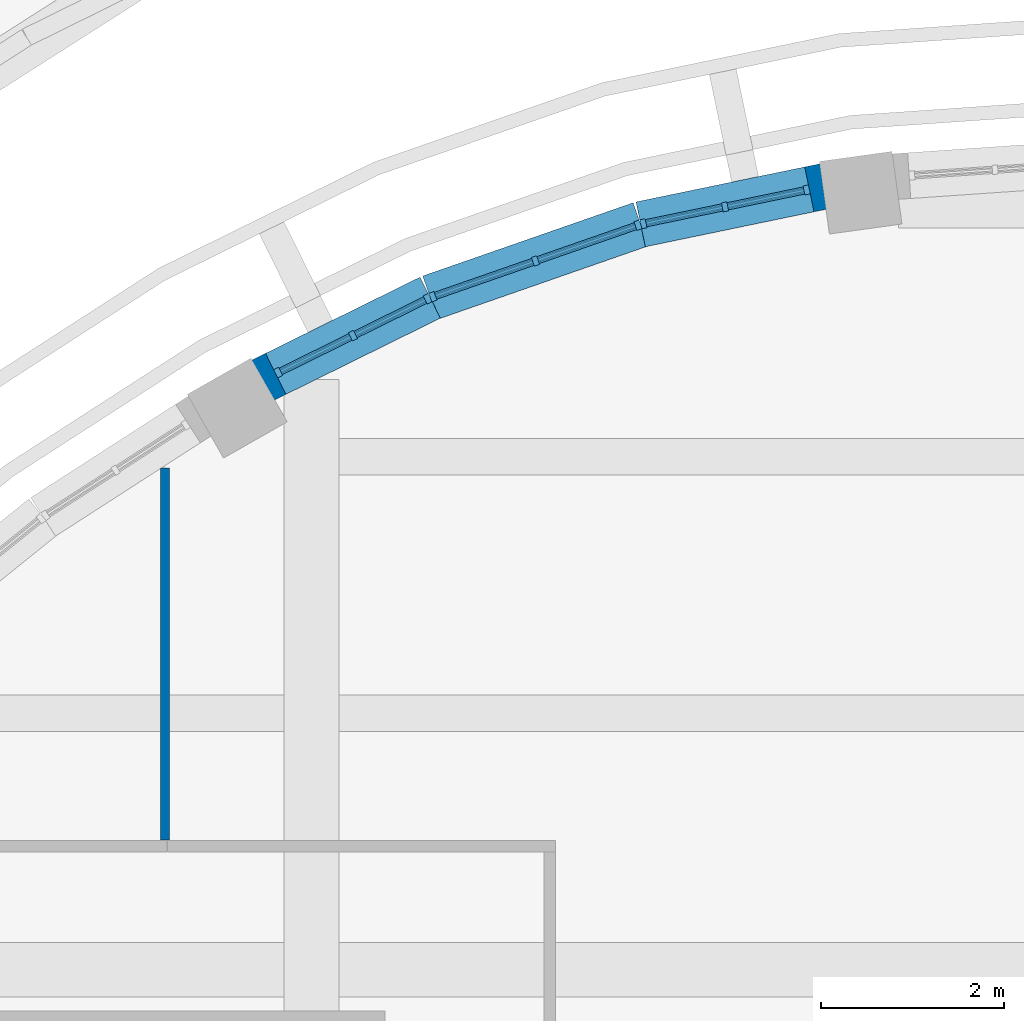
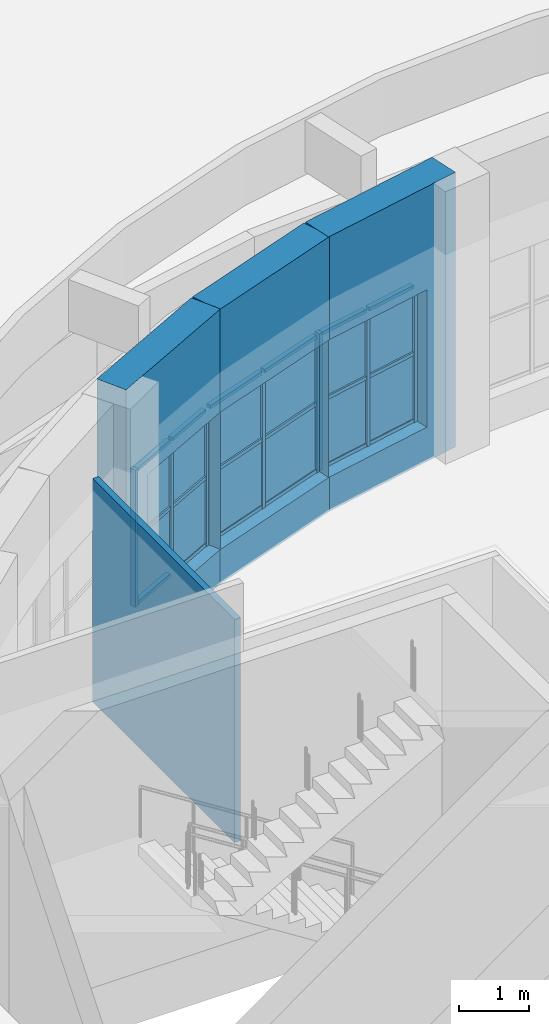
# One storey, part 35 of 79: 27 members, 12 plates, 4 walls, 3 openings, 3 elements without a shape of their own.
"""IFC4 building model written with IfcOpenShell, lengths in metres."""

from ifc_helpers import new_model, si_unit, direction, frame, frame_2d, origin, origin_2d, place, context, subcontext, project, spatial, rectangle, extrude, material, layer, layer_set, material_profile, profile_set, type_object, element, fill, aggregate, save


model = new_model("IFC4")

# Units and contexts
model_context = context("Model", 3, precision=1e-05, world=origin(), true_north=direction((0.0, 1.0)))
body_context = subcontext(model_context, "Body", "Model", "MODEL_VIEW")
ifc_project = project(units=[si_unit("LENGTHUNIT", "METRE"), si_unit("AREAUNIT", "SQUARE_METRE"), si_unit("VOLUMEUNIT", "CUBIC_METRE"), si_unit("PLANEANGLEUNIT", "RADIAN"), si_unit("MASSUNIT", "GRAM", prefix="KILO")], contexts=[model_context])

# Site, building, storey
site_placement = place(None, origin())
site = spatial("IfcSite", under=ifc_project, at=site_placement, CompositionType="ELEMENT")
building_placement = place(site_placement, origin())
building = spatial("IfcBuilding", under=site, at=building_placement, Name="Larchfold Concert Hall", CompositionType="ELEMENT")
storey_placement = place(building_placement, frame((0.0, 0.0, 14.39990234375)))
storey = spatial("IfcBuildingStorey", under=building, at=storey_placement, Name="L03", CompositionType="ELEMENT", Elevation=14.39990234375)

# Curtain wall, members
ifc_material_1 = material(Name="Anodised graphite aluminium curtain wall", Category="aluminium")
ifc_layer_1 = layer(ifc_material_1, 0.10009765625)
ifc_layer_set_1 = layer_set([ifc_layer_1], Name="Anodised graphite aluminium curtain wall")
curtain_wall_type = type_object("IfcCurtainWallType", Name="Curtain wall GB", PredefinedType="NOTDEFINED", material=ifc_layer_set_1)
curtain_wall_1_placement = place(storey_placement, origin())
curtain_wall_1 = element("IfcCurtainWall", 1, at=curtain_wall_1_placement, inside=storey, type_object=curtain_wall_type, Name="Curtain wall CW0021", PredefinedType="NOTDEFINED")
ifc_material_2 = material(Name="Anodised graphite aluminium mullion", Category="aluminium")
ifc_material_profile_1 = material_profile(ifc_material_2, rectangle(XDim=0.10009765625, YDim=0.06005859375, at=origin_2d()))
ifc_profile_set_1 = profile_set([ifc_material_profile_1], Name="Anodised graphite aluminium mullion")
member_type_1 = type_object("IfcMemberType", Name="Aluminium mullion 60x100", PredefinedType="MULLION", material=ifc_profile_set_1)
member_1_placement = place(storey_placement, frame((39.6044921875, 118.314697265625, 0.60009765625), z_axis=(0.0, 0.0, 1.0), x_axis=(0.20300045045, -0.979178644128, 0.0)))
member_1 = element("IfcMember", 2, at=member_1_placement, type_object=member_type_1, Name="CW0021 mullion 1", PredefinedType="MULLION", context=body_context, shape_type="SweptSolid", body=[
    extrude(rectangle(XDim=0.10009765625, YDim=0.06005859375, at=origin_2d()), origin(), (0.0, 0.0, 1.0), 2.39990234375),
])
member_2_placement = place(storey_placement, frame((38.712890625, 118.1298828125, 0.60009765625), z_axis=(0.0, 0.0, 1.0), x_axis=(0.20300045045, -0.979178644128, 0.0)))
member_2 = element("IfcMember", 3, at=member_2_placement, type_object=member_type_1, Name="CW0021 mullion 2", PredefinedType="MULLION", context=body_context, shape_type="SweptSolid", body=[
    extrude(rectangle(XDim=0.10009765625, YDim=0.06005859375, at=origin_2d()), origin(), (0.0, 0.0, 1.0), 2.39990234375),
])
member_3_placement = place(storey_placement, frame((37.8212890625, 117.945068359375, 0.60009765625), z_axis=(0.0, 0.0, 1.0), x_axis=(0.20300045045, -0.979178644128, 0.0)))
member_3 = element("IfcMember", 4, at=member_3_placement, type_object=member_type_1, Name="CW0021 mullion 3", PredefinedType="MULLION", context=body_context, shape_type="SweptSolid", body=[
    extrude(rectangle(XDim=0.10009765625, YDim=0.06005859375, at=origin_2d()), origin(), (0.0, 0.0, 1.0), 2.39990234375),
])

curtain_wall_2_placement = place(storey_placement, origin())
curtain_wall_2 = element("IfcCurtainWall", 5, at=curtain_wall_2_placement, inside=storey, type_object=curtain_wall_type, Name="Curtain wall CW0022", PredefinedType="NOTDEFINED")
member_4_placement = place(storey_placement, frame((37.763671875, 117.92919921875, 0.60009765625), z_axis=(0.0, 0.0, 1.0), x_axis=(0.328874818145, -0.944373524613, 0.0)))
member_4 = element("IfcMember", 6, at=member_4_placement, type_object=member_type_1, Name="CW0022 mullion 1", PredefinedType="MULLION", context=body_context, shape_type="SweptSolid", body=[
    extrude(rectangle(XDim=0.10009765625, YDim=0.06005859375, at=origin_2d()), origin(), (0.0, 0.0, 1.0), 2.39990234375),
])
member_5_placement = place(storey_placement, frame((36.643310546875, 117.5390625, 0.60009765625), z_axis=(0.0, 0.0, 1.0), x_axis=(0.328874818145, -0.944373524613, 0.0)))
member_5 = element("IfcMember", 7, at=member_5_placement, type_object=member_type_1, Name="CW0022 mullion 2", PredefinedType="MULLION", context=body_context, shape_type="SweptSolid", body=[
    extrude(rectangle(XDim=0.10009765625, YDim=0.06005859375, at=origin_2d()), origin(), (0.0, 0.0, 1.0), 2.39990234375),
])
member_6_placement = place(storey_placement, frame((35.52294921875, 117.148681640625, 0.60009765625), z_axis=(0.0, 0.0, 1.0), x_axis=(0.328874818145, -0.944373524613, 0.0)))
member_6 = element("IfcMember", 8, at=member_6_placement, type_object=member_type_1, Name="CW0022 mullion 3", PredefinedType="MULLION", context=body_context, shape_type="SweptSolid", body=[
    extrude(rectangle(XDim=0.10009765625, YDim=0.06005859375, at=origin_2d()), origin(), (0.0, 0.0, 1.0), 2.39990234375),
])

curtain_wall_3_placement = place(storey_placement, origin())
curtain_wall_3 = element("IfcCurtainWall", 9, at=curtain_wall_3_placement, inside=storey, type_object=curtain_wall_type, Name="Curtain wall CW0023", PredefinedType="NOTDEFINED")
member_7_placement = place(storey_placement, frame((35.4677734375, 117.125732421875, 0.60009765625), z_axis=(0.0, 0.0, 1.0), x_axis=(0.442328227227, -0.896853242954, 0.0)))
member_7 = element("IfcMember", 10, at=member_7_placement, type_object=member_type_1, Name="CW0023 mullion 1", PredefinedType="MULLION", context=body_context, shape_type="SweptSolid", body=[
    extrude(rectangle(XDim=0.10009765625, YDim=0.06005859375, at=origin_2d()), origin(), (0.0, 0.0, 1.0), 2.39990234375),
])
member_8_placement = place(storey_placement, frame((34.65087890625, 116.72265625, 0.60009765625), z_axis=(0.0, 0.0, 1.0), x_axis=(0.442328227227, -0.896853242954, 0.0)))
member_8 = element("IfcMember", 11, at=member_8_placement, type_object=member_type_1, Name="CW0023 mullion 2", PredefinedType="MULLION", context=body_context, shape_type="SweptSolid", body=[
    extrude(rectangle(XDim=0.10009765625, YDim=0.06005859375, at=origin_2d()), origin(), (0.0, 0.0, 1.0), 2.39990234375),
])
member_9_placement = place(storey_placement, frame((33.833984375, 116.31982421875, 0.60009765625), z_axis=(0.0, 0.0, 1.0), x_axis=(0.442328227227, -0.896853242954, 0.0)))
member_9 = element("IfcMember", 12, at=member_9_placement, type_object=member_type_1, Name="CW0023 mullion 3", PredefinedType="MULLION", context=body_context, shape_type="SweptSolid", body=[
    extrude(rectangle(XDim=0.10009765625, YDim=0.06005859375, at=origin_2d()), origin(), (0.0, 0.0, 1.0), 2.39990234375),
])

# Member
ifc_material_3 = material(Name="Anodised graphite aluminium transom", Category="aluminium")
ifc_material_profile_2 = material_profile(ifc_material_3, rectangle(XDim=0.080078125, YDim=0.06005859375, at=origin_2d()))
ifc_profile_set_2 = profile_set([ifc_material_profile_2], Name="Anodised graphite aluminium transom")
member_type_2 = type_object("IfcMemberType", Name="Aluminium transom 60x80", PredefinedType="USERDEFINED", material=ifc_profile_set_2)
member_10_placement = place(storey_placement, frame((39.574951171875, 118.30859375, 0.630126953125), z_axis=(-0.979187689459, -0.202956815141, 0.0), x_axis=(0.202956815141, -0.979187689459, 0.0)))
member_10 = element("IfcMember", 13, at=member_10_placement, type_object=member_type_2, Name="CW0021 transom 1.1", ObjectType="TRANSOM", PredefinedType="USERDEFINED", context=body_context, shape_type="SweptSolid", body=[
    extrude(rectangle(XDim=0.080078125, YDim=0.06005859375, at=origin_2d()), origin(), (0.0, 0.0, 1.0), 0.850341796875),
])

member_11_placement = place(storey_placement, frame((39.574951171875, 118.30859375, 1.800048828125), z_axis=(-0.979187689459, -0.202956815141, 0.0), x_axis=(0.202956815141, -0.979187689459, 0.0)))
member_11 = element("IfcMember", 14, at=member_11_placement, type_object=member_type_2, Name="CW0021 transom 1.2", ObjectType="TRANSOM", PredefinedType="USERDEFINED", context=body_context, shape_type="SweptSolid", body=[
    extrude(rectangle(XDim=0.080078125, YDim=0.06005859375, at=origin_2d()), origin(), (0.0, 0.0, 1.0), 0.850341796875),
])

member_12_placement = place(storey_placement, frame((39.574951171875, 118.30859375, 2.969970703125), z_axis=(-0.979187689459, -0.202956815141, 0.0), x_axis=(0.202956815141, -0.979187689459, 0.0)))
member_12 = element("IfcMember", 15, at=member_12_placement, type_object=member_type_2, Name="CW0021 transom 1.3", ObjectType="TRANSOM", PredefinedType="USERDEFINED", context=body_context, shape_type="SweptSolid", body=[
    extrude(rectangle(XDim=0.080078125, YDim=0.06005859375, at=origin_2d()), origin(), (0.0, 0.0, 1.0), 0.850341796875),
])

member_13_placement = place(storey_placement, frame((38.68359375, 118.123779296875, 0.630126953125), z_axis=(-0.979187689459, -0.202956815141, 0.0), x_axis=(0.202956815141, -0.979187689459, 0.0)))
member_13 = element("IfcMember", 16, at=member_13_placement, type_object=member_type_2, Name="CW0021 transom 2.1", ObjectType="TRANSOM", PredefinedType="USERDEFINED", context=body_context, shape_type="SweptSolid", body=[
    extrude(rectangle(XDim=0.080078125, YDim=0.06005859375, at=origin_2d()), origin(), (0.0, 0.0, 1.0), 0.850341796875),
])

member_14_placement = place(storey_placement, frame((38.68359375, 118.123779296875, 1.800048828125), z_axis=(-0.979187689459, -0.202956815141, 0.0), x_axis=(0.202956815141, -0.979187689459, 0.0)))
member_14 = element("IfcMember", 17, at=member_14_placement, type_object=member_type_2, Name="CW0021 transom 2.2", ObjectType="TRANSOM", PredefinedType="USERDEFINED", context=body_context, shape_type="SweptSolid", body=[
    extrude(rectangle(XDim=0.080078125, YDim=0.06005859375, at=origin_2d()), origin(), (0.0, 0.0, 1.0), 0.850341796875),
])

member_15_placement = place(storey_placement, frame((38.68359375, 118.123779296875, 2.969970703125), z_axis=(-0.979187689459, -0.202956815141, 0.0), x_axis=(0.202956815141, -0.979187689459, 0.0)))
member_15 = element("IfcMember", 18, at=member_15_placement, type_object=member_type_2, Name="CW0021 transom 2.3", ObjectType="TRANSOM", PredefinedType="USERDEFINED", context=body_context, shape_type="SweptSolid", body=[
    extrude(rectangle(XDim=0.080078125, YDim=0.06005859375, at=origin_2d()), origin(), (0.0, 0.0, 1.0), 0.850341796875),
])

member_16_placement = place(storey_placement, frame((37.7353515625, 117.919189453125, 0.630126953125), z_axis=(-0.944394405271, -0.328814852604, 0.0), x_axis=(0.328814852604, -0.944394405271, 0.0)))
member_16 = element("IfcMember", 19, at=member_16_placement, type_object=member_type_2, Name="CW0022 transom 1.1", ObjectType="TRANSOM", PredefinedType="USERDEFINED", context=body_context, shape_type="SweptSolid", body=[
    extrude(rectangle(XDim=0.080078125, YDim=0.06005859375, at=origin_2d()), origin(), (0.0, 0.0, 1.0), 1.12646484375),
])

member_17_placement = place(storey_placement, frame((37.7353515625, 117.919189453125, 1.800048828125), z_axis=(-0.944394405271, -0.328814852604, 0.0), x_axis=(0.328814852604, -0.944394405271, 0.0)))
member_17 = element("IfcMember", 20, at=member_17_placement, type_object=member_type_2, Name="CW0022 transom 1.2", ObjectType="TRANSOM", PredefinedType="USERDEFINED", context=body_context, shape_type="SweptSolid", body=[
    extrude(rectangle(XDim=0.080078125, YDim=0.06005859375, at=origin_2d()), origin(), (0.0, 0.0, 1.0), 1.12646484375),
])

member_18_placement = place(storey_placement, frame((37.7353515625, 117.919189453125, 2.969970703125), z_axis=(-0.944394405271, -0.328814852604, 0.0), x_axis=(0.328814852604, -0.944394405271, 0.0)))
member_18 = element("IfcMember", 21, at=member_18_placement, type_object=member_type_2, Name="CW0022 transom 1.3", ObjectType="TRANSOM", PredefinedType="USERDEFINED", context=body_context, shape_type="SweptSolid", body=[
    extrude(rectangle(XDim=0.080078125, YDim=0.06005859375, at=origin_2d()), origin(), (0.0, 0.0, 1.0), 1.12646484375),
])

member_19_placement = place(storey_placement, frame((36.614990234375, 117.529052734375, 0.630126953125), z_axis=(-0.944394405271, -0.328814852604, 0.0), x_axis=(0.328814852604, -0.944394405271, 0.0)))
member_19 = element("IfcMember", 22, at=member_19_placement, type_object=member_type_2, Name="CW0022 transom 2.1", ObjectType="TRANSOM", PredefinedType="USERDEFINED", context=body_context, shape_type="SweptSolid", body=[
    extrude(rectangle(XDim=0.080078125, YDim=0.06005859375, at=origin_2d()), origin(), (0.0, 0.0, 1.0), 1.12646484375),
])

member_20_placement = place(storey_placement, frame((36.614990234375, 117.529052734375, 1.800048828125), z_axis=(-0.944394405271, -0.328814852604, 0.0), x_axis=(0.328814852604, -0.944394405271, 0.0)))
member_20 = element("IfcMember", 23, at=member_20_placement, type_object=member_type_2, Name="CW0022 transom 2.2", ObjectType="TRANSOM", PredefinedType="USERDEFINED", context=body_context, shape_type="SweptSolid", body=[
    extrude(rectangle(XDim=0.080078125, YDim=0.06005859375, at=origin_2d()), origin(), (0.0, 0.0, 1.0), 1.12646484375),
])

member_21_placement = place(storey_placement, frame((36.614990234375, 117.529052734375, 2.969970703125), z_axis=(-0.944394405271, -0.328814852604, 0.0), x_axis=(0.328814852604, -0.944394405271, 0.0)))
member_21 = element("IfcMember", 24, at=member_21_placement, type_object=member_type_2, Name="CW0022 transom 2.3", ObjectType="TRANSOM", PredefinedType="USERDEFINED", context=body_context, shape_type="SweptSolid", body=[
    extrude(rectangle(XDim=0.080078125, YDim=0.06005859375, at=origin_2d()), origin(), (0.0, 0.0, 1.0), 1.12646484375),
])

member_22_placement = place(storey_placement, frame((35.44091796875, 117.1123046875, 0.630126953125), z_axis=(-0.896937904051, -0.442156529157, 0.0), x_axis=(0.442156529157, -0.896937904051, 0.0)))
member_22 = element("IfcMember", 25, at=member_22_placement, type_object=member_type_2, Name="CW0023 transom 1.1", ObjectType="TRANSOM", PredefinedType="USERDEFINED", context=body_context, shape_type="SweptSolid", body=[
    extrude(rectangle(XDim=0.080078125, YDim=0.06005859375, at=origin_2d()), origin(), (0.0, 0.0, 1.0), 0.850830078125),
])

member_23_placement = place(storey_placement, frame((35.44091796875, 117.1123046875, 1.800048828125), z_axis=(-0.896937904051, -0.442156529157, 0.0), x_axis=(0.442156529157, -0.896937904051, 0.0)))
member_23 = element("IfcMember", 26, at=member_23_placement, type_object=member_type_2, Name="CW0023 transom 1.2", ObjectType="TRANSOM", PredefinedType="USERDEFINED", context=body_context, shape_type="SweptSolid", body=[
    extrude(rectangle(XDim=0.080078125, YDim=0.06005859375, at=origin_2d()), origin(), (0.0, 0.0, 1.0), 0.850830078125),
])

member_24_placement = place(storey_placement, frame((35.44091796875, 117.1123046875, 2.969970703125), z_axis=(-0.896937904051, -0.442156529157, 0.0), x_axis=(0.442156529157, -0.896937904051, 0.0)))
member_24 = element("IfcMember", 27, at=member_24_placement, type_object=member_type_2, Name="CW0023 transom 1.3", ObjectType="TRANSOM", PredefinedType="USERDEFINED", context=body_context, shape_type="SweptSolid", body=[
    extrude(rectangle(XDim=0.080078125, YDim=0.06005859375, at=origin_2d()), origin(), (0.0, 0.0, 1.0), 0.850830078125),
])

member_25_placement = place(storey_placement, frame((34.6240234375, 116.70947265625, 0.630126953125), z_axis=(-0.896937904051, -0.442156529157, 0.0), x_axis=(0.442156529157, -0.896937904051, 0.0)))
member_25 = element("IfcMember", 28, at=member_25_placement, type_object=member_type_2, Name="CW0023 transom 2.1", ObjectType="TRANSOM", PredefinedType="USERDEFINED", context=body_context, shape_type="SweptSolid", body=[
    extrude(rectangle(XDim=0.080078125, YDim=0.06005859375, at=origin_2d()), origin(), (0.0, 0.0, 1.0), 0.850830078125),
])

member_26_placement = place(storey_placement, frame((34.6240234375, 116.70947265625, 1.800048828125), z_axis=(-0.896937904051, -0.442156529157, 0.0), x_axis=(0.442156529157, -0.896937904051, 0.0)))
member_26 = element("IfcMember", 29, at=member_26_placement, type_object=member_type_2, Name="CW0023 transom 2.2", ObjectType="TRANSOM", PredefinedType="USERDEFINED", context=body_context, shape_type="SweptSolid", body=[
    extrude(rectangle(XDim=0.080078125, YDim=0.06005859375, at=origin_2d()), origin(), (0.0, 0.0, 1.0), 0.850830078125),
])

member_27_placement = place(storey_placement, frame((34.6240234375, 116.70947265625, 2.969970703125), z_axis=(-0.896937904051, -0.442156529157, 0.0), x_axis=(0.442156529157, -0.896937904051, 0.0)))
member_27 = element("IfcMember", 30, at=member_27_placement, type_object=member_type_2, Name="CW0023 transom 2.3", ObjectType="TRANSOM", PredefinedType="USERDEFINED", context=body_context, shape_type="SweptSolid", body=[
    extrude(rectangle(XDim=0.080078125, YDim=0.06005859375, at=origin_2d()), origin(), (0.0, 0.0, 1.0), 0.850830078125),
])

# Plate
ifc_material_4 = material(Name="Insulated glazing unit, glass", Category="glass")
ifc_layer_2 = layer(ifc_material_4, 0.02392578125)
ifc_layer_set_2 = layer_set([ifc_layer_2], Name="Insulated glazing unit, glass")
plate_type_1 = type_object("IfcPlateType", Name="Glass panel 24", PredefinedType="CURTAIN_PANEL", material=ifc_layer_set_2)
plate_1_placement = place(storey_placement, frame((39.15869140625, 118.222412109375, 1.830078125), z_axis=(0.0, 0.0, 1.0), x_axis=(-0.979178644128, -0.20300045045, 0.0)))
plate_1 = element("IfcPlate", 31, at=plate_1_placement, type_object=plate_type_1, Name="CW0021 panel 1.2", PredefinedType="CURTAIN_PANEL", context=body_context, shape_type="SweptSolid", body=[
    extrude(rectangle(XDim=0.8505859375, YDim=0.02392578125, at=origin_2d()), origin(), (0.0, 0.0, 1.0), 1.10986328125),
])

plate_2_placement = place(storey_placement, frame((38.26708984375, 118.037353515625, 1.830078125), z_axis=(0.0, 0.0, 1.0), x_axis=(-0.979178644128, -0.20300045045, 0.0)))
plate_2 = element("IfcPlate", 32, at=plate_2_placement, type_object=plate_type_1, Name="CW0021 panel 2.2", PredefinedType="CURTAIN_PANEL", context=body_context, shape_type="SweptSolid", body=[
    extrude(rectangle(XDim=0.8505859375, YDim=0.02392578125, at=origin_2d()), origin(), (0.0, 0.0, 1.0), 1.10986328125),
])

plate_3_placement = place(storey_placement, frame((37.203369140625, 117.734130859375, 1.830078125), z_axis=(0.0, 0.0, 1.0), x_axis=(-0.944373524613, -0.328874818145, 0.0)))
plate_3 = element("IfcPlate", 33, at=plate_3_placement, type_object=plate_type_1, Name="CW0022 panel 1.2", PredefinedType="CURTAIN_PANEL", context=body_context, shape_type="SweptSolid", body=[
    extrude(rectangle(XDim=1.126220703125, YDim=0.02392578125, at=origin_2d()), origin(), (0.0, 0.0, 1.0), 1.10986328125),
])

plate_4_placement = place(storey_placement, frame((36.083251953125, 117.34375, 1.830078125), z_axis=(0.0, 0.0, 1.0), x_axis=(-0.944373524613, -0.328874818145, 0.0)))
plate_4 = element("IfcPlate", 34, at=plate_4_placement, type_object=plate_type_1, Name="CW0022 panel 2.2", PredefinedType="CURTAIN_PANEL", context=body_context, shape_type="SweptSolid", body=[
    extrude(rectangle(XDim=1.126220703125, YDim=0.02392578125, at=origin_2d()), origin(), (0.0, 0.0, 1.0), 1.10986328125),
])

plate_5_placement = place(storey_placement, frame((35.059326171875, 116.92431640625, 1.830078125), z_axis=(0.0, 0.0, 1.0), x_axis=(-0.896853242954, -0.442328227227, 0.0)))
plate_5 = element("IfcPlate", 35, at=plate_5_placement, type_object=plate_type_1, Name="CW0023 panel 1.2", PredefinedType="CURTAIN_PANEL", context=body_context, shape_type="SweptSolid", body=[
    extrude(rectangle(XDim=0.850830078125, YDim=0.02392578125, at=origin_2d()), origin(), (0.0, 0.0, 1.0), 1.10986328125),
])

plate_6_placement = place(storey_placement, frame((34.242431640625, 116.521240234375, 1.830078125), z_axis=(0.0, 0.0, 1.0), x_axis=(-0.896853242954, -0.442328227227, 0.0)))
plate_6 = element("IfcPlate", 36, at=plate_6_placement, type_object=plate_type_1, Name="CW0023 panel 2.2", PredefinedType="CURTAIN_PANEL", context=body_context, shape_type="SweptSolid", body=[
    extrude(rectangle(XDim=0.850830078125, YDim=0.02392578125, at=origin_2d()), origin(), (0.0, 0.0, 1.0), 1.10986328125),
])

ifc_material_5 = material(Name="White insulated panel")
ifc_layer_3 = layer(ifc_material_5, 0.050048828125)
ifc_layer_set_3 = layer_set([ifc_layer_3], Name="White insulated panel")
plate_type_2 = type_object("IfcPlateType", Name="Insulated spandrel panel 50", PredefinedType="CURTAIN_PANEL", material=ifc_layer_set_3)
plate_7_placement = place(storey_placement, frame((39.15869140625, 118.222412109375, 0.66015625), z_axis=(0.0, 0.0, 1.0), x_axis=(-0.979178644128, -0.20300045045, 0.0)))
plate_7 = element("IfcPlate", 37, at=plate_7_placement, type_object=plate_type_2, Name="CW0021 panel 1.1", PredefinedType="CURTAIN_PANEL", context=body_context, shape_type="SweptSolid", body=[
    extrude(rectangle(XDim=0.8505859375, YDim=0.050048828125, at=origin_2d()), origin(), (0.0, 0.0, 1.0), 1.10986328125),
])

plate_8_placement = place(storey_placement, frame((38.26708984375, 118.037353515625, 0.66015625), z_axis=(0.0, 0.0, 1.0), x_axis=(-0.979178644128, -0.20300045045, 0.0)))
plate_8 = element("IfcPlate", 38, at=plate_8_placement, type_object=plate_type_2, Name="CW0021 panel 2.1", PredefinedType="CURTAIN_PANEL", context=body_context, shape_type="SweptSolid", body=[
    extrude(rectangle(XDim=0.8505859375, YDim=0.050048828125, at=origin_2d()), origin(), (0.0, 0.0, 1.0), 1.10986328125),
])

aggregate(curtain_wall_1, [member_1, member_2, member_3, member_10, member_11, member_12, plate_7, plate_1, member_13, member_14, member_15, plate_8, plate_2])

plate_9_placement = place(storey_placement, frame((37.203369140625, 117.734130859375, 0.66015625), z_axis=(0.0, 0.0, 1.0), x_axis=(-0.944373524613, -0.328874818145, 0.0)))
plate_9 = element("IfcPlate", 39, at=plate_9_placement, type_object=plate_type_2, Name="CW0022 panel 1.1", PredefinedType="CURTAIN_PANEL", context=body_context, shape_type="SweptSolid", body=[
    extrude(rectangle(XDim=1.126220703125, YDim=0.050048828125, at=origin_2d()), origin(), (0.0, 0.0, 1.0), 1.10986328125),
])

plate_10_placement = place(storey_placement, frame((36.083251953125, 117.34375, 0.66015625), z_axis=(0.0, 0.0, 1.0), x_axis=(-0.944373524613, -0.328874818145, 0.0)))
plate_10 = element("IfcPlate", 40, at=plate_10_placement, type_object=plate_type_2, Name="CW0022 panel 2.1", PredefinedType="CURTAIN_PANEL", context=body_context, shape_type="SweptSolid", body=[
    extrude(rectangle(XDim=1.126220703125, YDim=0.050048828125, at=origin_2d()), origin(), (0.0, 0.0, 1.0), 1.10986328125),
])

aggregate(curtain_wall_2, [member_4, member_5, member_6, member_16, member_17, member_18, plate_9, plate_3, member_19, member_20, member_21, plate_10, plate_4])

plate_11_placement = place(storey_placement, frame((35.059326171875, 116.92431640625, 0.66015625), z_axis=(0.0, 0.0, 1.0), x_axis=(-0.896853242954, -0.442328227227, 0.0)))
plate_11 = element("IfcPlate", 41, at=plate_11_placement, type_object=plate_type_2, Name="CW0023 panel 1.1", PredefinedType="CURTAIN_PANEL", context=body_context, shape_type="SweptSolid", body=[
    extrude(rectangle(XDim=0.850830078125, YDim=0.050048828125, at=origin_2d()), origin(), (0.0, 0.0, 1.0), 1.10986328125),
])

plate_12_placement = place(storey_placement, frame((34.242431640625, 116.521240234375, 0.66015625), z_axis=(0.0, 0.0, 1.0), x_axis=(-0.896853242954, -0.442328227227, 0.0)))
plate_12 = element("IfcPlate", 42, at=plate_12_placement, type_object=plate_type_2, Name="CW0023 panel 2.1", PredefinedType="CURTAIN_PANEL", context=body_context, shape_type="SweptSolid", body=[
    extrude(rectangle(XDim=0.850830078125, YDim=0.050048828125, at=origin_2d()), origin(), (0.0, 0.0, 1.0), 1.10986328125),
])

aggregate(curtain_wall_3, [member_7, member_8, member_9, member_22, member_23, member_24, plate_11, plate_5, member_25, member_26, member_27, plate_12, plate_6])

# Wall
ifc_material_6 = material(Name="Plasterboard partition on steel studs", Category="steel")
ifc_layer_4 = layer(ifc_material_6, 0.10009765625)
ifc_layer_set_4 = layer_set([ifc_layer_4], Name="Plasterboard partition on steel studs")
wall_type_1 = type_object("IfcWallType", Name="Stud partition 100", PredefinedType="PARTITIONING", material=ifc_layer_set_4)
wall_1_placement = place(storey_placement, frame((32.60009765625, 115.281005859375, 0.0), z_axis=(0.0, 0.0, 1.0), x_axis=(0.0, -1.0, 0.0)))
element("IfcWall", 43, at=wall_1_placement, inside=storey, type_object=wall_type_1, Name="Partition IW0008", PredefinedType="PARTITIONING", context=body_context, shape_type="SweptSolid", body=[
    extrude(rectangle(XDim=4.06591796875, YDim=0.10009765625, at=frame_2d((2.032958984375, 0.0))), origin(), (0.0, 0.0, 1.0), 3.89990234375),
])

# Wall, opening
ifc_material_7 = material(Name="Concrete C30/37", Category="concrete")
ifc_layer_5 = layer(ifc_material_7, 0.5)
ifc_layer_set_5 = layer_set([ifc_layer_5], Name="Concrete C30/37")
wall_type_2 = type_object("IfcWallType", Name="Wall RC 500 drum facade", PredefinedType="SOLIDWALL", material=ifc_layer_set_5)
wall_2_placement = place(storey_placement, frame((40.173583984375, 118.432861328125, 0.0), z_axis=(0.0, 0.0, 1.0), x_axis=(-0.979166233049, -0.203060306454, 0.0)))
wall_2 = element("IfcWall", 44, at=wall_2_placement, inside=storey, type_object=wall_type_2, Name="Wall DW021", PredefinedType="SOLIDWALL", context=body_context, shape_type="SweptSolid", body=[
    extrude(rectangle(XDim=2.432373046875, YDim=0.5, at=frame_2d((1.21630859375, 0.0))), origin(), (0.0, 0.0, 1.0), 4.800048828125),
])
opening_1_placement = place(wall_2_placement, frame((0.55126953125, 0.0, 0.60009765625)))
opening_1 = element("IfcOpeningElement", 45, at=opening_1_placement, cuts=wall_2, Name="Opening CW0021", PredefinedType="OPENING", context=body_context, shape_type="SweptSolid", body=[
    extrude(rectangle(XDim=1.880859375, YDim=2.39990234375, at=frame_2d((0.9404296875, 1.199951171875))), frame((0.0, 0.260009765625, 0.0), z_axis=(0.0, -1.0, 0.0), x_axis=(1.0, 0.0, 0.0)), (0.0, 0.0, 1.0), 0.52001953125),
])

fill(opening_1, curtain_wall_1)

wall_3_placement = place(storey_placement, frame((37.7919921875, 117.93896484375, 0.0), z_axis=(0.0, 0.0, 1.0), x_axis=(-0.944373524566, -0.328874818279, 0.0)))
wall_3 = element("IfcWall", 46, at=wall_3_placement, inside=storey, type_object=wall_type_2, Name="Wall DW022", PredefinedType="SOLIDWALL", context=body_context, shape_type="SweptSolid", body=[
    extrude(rectangle(XDim=2.4326171875, YDim=0.5, at=frame_2d((1.21630859375, 0.0))), origin(), (0.0, 0.0, 1.0), 4.800048828125),
])
opening_2_placement = place(wall_3_placement, frame((0.0, 0.0, 0.60009765625)))
opening_2 = element("IfcOpeningElement", 47, at=opening_2_placement, cuts=wall_3, Name="Opening CW0022", PredefinedType="OPENING", context=body_context, shape_type="SweptSolid", body=[
    extrude(rectangle(XDim=2.4326171875, YDim=2.39990234375, at=frame_2d((1.21630859375, 1.199951171875))), frame((0.0, 0.260009765625, 0.0), z_axis=(0.0, -1.0, 0.0), x_axis=(1.0, 0.0, 0.0)), (0.0, 0.0, 1.0), 0.52001953125),
])

fill(opening_2, curtain_wall_2)

wall_4_placement = place(storey_placement, frame((35.49462890625, 117.138916015625, 0.0), z_axis=(0.0, 0.0, 1.0), x_axis=(-0.896822873966, -0.442389797274, 0.0)))
wall_4 = element("IfcWall", 48, at=wall_4_placement, inside=storey, type_object=wall_type_2, Name="Wall DW023", PredefinedType="SOLIDWALL", context=body_context, shape_type="SweptSolid", body=[
    extrude(rectangle(XDim=2.4326171875, YDim=0.5, at=frame_2d((1.21630859375, 0.0))), origin(), (0.0, 0.0, 1.0), 4.800048828125),
])
opening_3_placement = place(wall_4_placement, frame((0.0, 0.0, 0.60009765625)))
opening_3 = element("IfcOpeningElement", 49, at=opening_3_placement, cuts=wall_4, Name="Opening CW0023", PredefinedType="OPENING", context=body_context, shape_type="SweptSolid", body=[
    extrude(rectangle(XDim=1.881591796875, YDim=2.39990234375, at=frame_2d((0.94091796875, 1.199951171875))), frame((0.0, 0.260009765625, 0.0), z_axis=(0.0, -1.0, 0.0), x_axis=(1.0, 0.0, 0.0)), (0.0, 0.0, 1.0), 0.52001953125),
])

fill(opening_3, curtain_wall_3)

save(model, "model.ifc")
